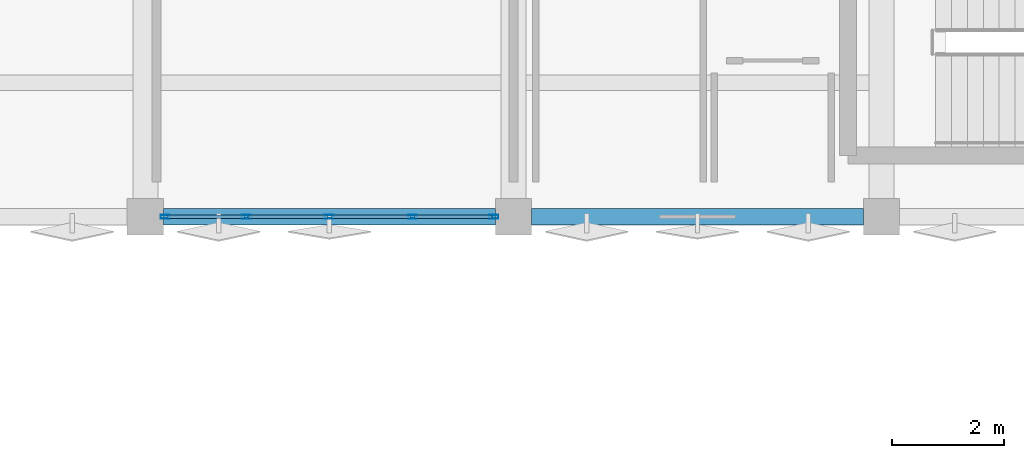
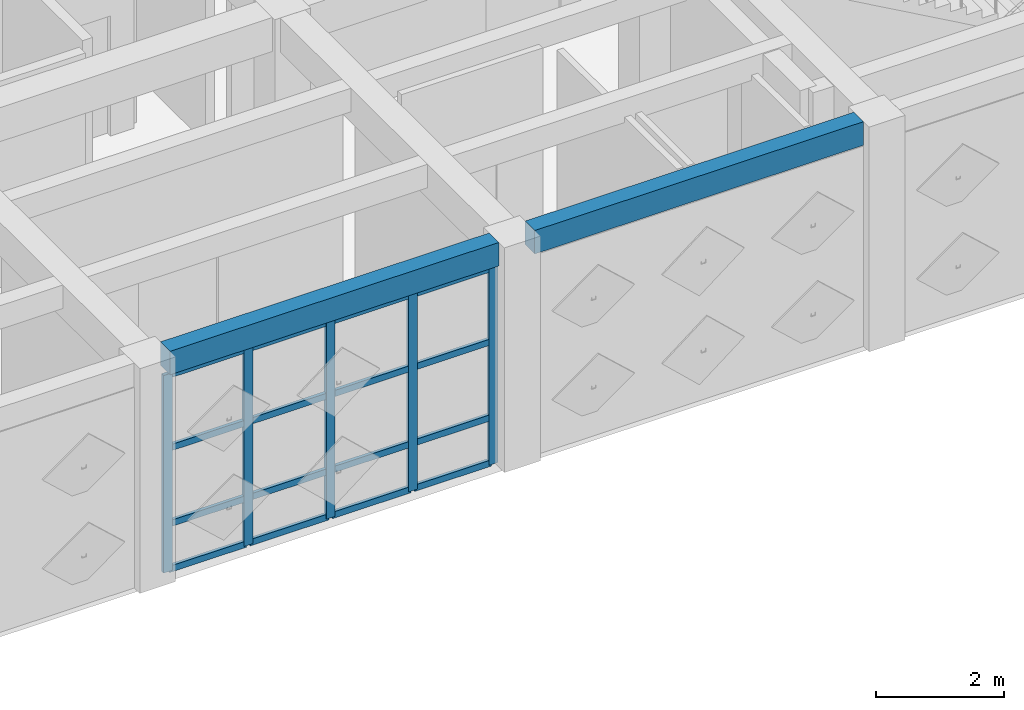
# One storey, part 35 of 67: 21 members, 2 beams, 1 element without a shape of its own.
"""IFC4 building model written with IfcOpenShell, lengths in metres."""

from ifc_helpers import new_model, si_unit, direction, frame, origin, origin_2d, place, context, subcontext, project, spatial, rectangle, hollow_rectangle, extrude, material, layer, layer_set, material_profile, profile_set, type_object, element, aggregate, save


model = new_model("IFC4")

# Units and contexts
model_context = context("Model", 3, precision=1e-05, world=origin(), true_north=direction((0.0, 1.0)))
body_context = subcontext(model_context, "Body", "Model", "MODEL_VIEW")
ifc_project = project(units=[si_unit("LENGTHUNIT", "METRE"), si_unit("AREAUNIT", "SQUARE_METRE"), si_unit("VOLUMEUNIT", "CUBIC_METRE"), si_unit("PLANEANGLEUNIT", "RADIAN"), si_unit("MASSUNIT", "GRAM", prefix="KILO")], contexts=[model_context])

# Site, building, storey
site_placement = place(None, origin())
site = spatial("IfcSite", under=ifc_project, at=site_placement, CompositionType="ELEMENT")
building_placement = place(site_placement, origin())
building = spatial("IfcBuilding", under=site, at=building_placement, Name="Kharisveld Research Institute", CompositionType="ELEMENT")
storey_placement = place(building_placement, frame((0.0, 0.0, 9.60009765625)))
storey = spatial("IfcBuildingStorey", under=building, at=storey_placement, Name="L02", CompositionType="ELEMENT", Elevation=9.60009765625)

# Curtain wall, members
ifc_material_1 = material(Name="Thermally Broken Aluminium Curtain Wall", Category="aluminium")
ifc_layer = layer(ifc_material_1, 0.159912109375)
ifc_layer_set = layer_set([ifc_layer], Name="CW_SYS_04")
curtain_wall_type = type_object("IfcCurtainWallType", Name="CW_SYS_04", PredefinedType="NOTDEFINED", material=ifc_layer_set)
curtain_wall_placement = place(storey_placement, origin())
curtain_wall = element("IfcCurtainWall", 1, at=curtain_wall_placement, inside=storey, type_object=curtain_wall_type, Name="CW:V2:L02:S4", PredefinedType="NOTDEFINED")
ifc_material_2 = material(Name="Anodised Aluminium AW-6063-T6", Category="aluminium")
ifc_material_profile_1 = material_profile(ifc_material_2, hollow_rectangle(XDim=0.06494140625, YDim=0.159912109375, WallThickness=0.00390625, at=origin_2d()))
ifc_profile_set_1 = profile_set([ifc_material_profile_1], Name="Anodised Aluminium AW-6063-T6")
member_type_1 = type_object("IfcMemberType", Name="CW_MUL_160", PredefinedType="MULLION", material=ifc_profile_set_1)
member_1_placement = place(storey_placement, frame((140.6474609375, 39.199951171875, 0.0), z_axis=(0.0, 0.0, 1.0), x_axis=(0.0, -1.0, 0.0)))
member_1 = element("IfcMember", 2, at=member_1_placement, type_object=member_type_1, Name="CW-04 mullion 1", PredefinedType="MULLION", context=body_context, shape_type="SweptSolid", body=[
    extrude(hollow_rectangle(XDim=0.06494140625, YDim=0.159912109375, WallThickness=0.00390625, at=origin_2d()), origin(), (0.0, 0.0, 1.0), 3.77978515625),
])
member_2_placement = place(storey_placement, frame((139.18994140625, 39.199951171875, 0.0), z_axis=(0.0, 0.0, 1.0), x_axis=(0.0, -1.0, 0.0)))
member_2 = element("IfcMember", 3, at=member_2_placement, type_object=member_type_1, Name="CW-04 mullion 2", PredefinedType="MULLION", context=body_context, shape_type="SweptSolid", body=[
    extrude(hollow_rectangle(XDim=0.06494140625, YDim=0.159912109375, WallThickness=0.00390625, at=origin_2d()), origin(), (0.0, 0.0, 1.0), 3.77978515625),
])
member_3_placement = place(storey_placement, frame((137.699951171875, 39.199951171875, 0.0), z_axis=(0.0, 0.0, 1.0), x_axis=(0.0, -1.0, 0.0)))
member_3 = element("IfcMember", 4, at=member_3_placement, type_object=member_type_1, Name="CW-04 mullion 3", PredefinedType="MULLION", context=body_context, shape_type="SweptSolid", body=[
    extrude(hollow_rectangle(XDim=0.06494140625, YDim=0.159912109375, WallThickness=0.00390625, at=origin_2d()), origin(), (0.0, 0.0, 1.0), 3.77978515625),
])
member_4_placement = place(storey_placement, frame((136.2099609375, 39.199951171875, 0.0), z_axis=(0.0, 0.0, 1.0), x_axis=(0.0, -1.0, 0.0)))
member_4 = element("IfcMember", 5, at=member_4_placement, type_object=member_type_1, Name="CW-04 mullion 4", PredefinedType="MULLION", context=body_context, shape_type="SweptSolid", body=[
    extrude(hollow_rectangle(XDim=0.06494140625, YDim=0.159912109375, WallThickness=0.00390625, at=origin_2d()), origin(), (0.0, 0.0, 1.0), 3.77978515625),
])
member_5_placement = place(storey_placement, frame((134.75244140625, 39.199951171875, 0.0), z_axis=(0.0, 0.0, 1.0), x_axis=(0.0, -1.0, 0.0)))
member_5 = element("IfcMember", 6, at=member_5_placement, type_object=member_type_1, Name="CW-04 mullion 5", PredefinedType="MULLION", context=body_context, shape_type="SweptSolid", body=[
    extrude(hollow_rectangle(XDim=0.06494140625, YDim=0.159912109375, WallThickness=0.00390625, at=origin_2d()), origin(), (0.0, 0.0, 1.0), 3.77978515625),
])
ifc_material_3 = material(Name="Anodised Aluminium AW-6063-T6", Category="aluminium")
ifc_material_profile_2 = material_profile(ifc_material_3, hollow_rectangle(XDim=0.06005859375, YDim=0.1201171875, WallThickness=0.00390625, at=origin_2d()))
ifc_profile_set_2 = profile_set([ifc_material_profile_2], Name="Anodised Aluminium AW-6063-T6")
member_type_2 = type_object("IfcMemberType", Name="CW_TRN_120", PredefinedType="USERDEFINED", material=ifc_profile_set_2)
member_6_placement = place(storey_placement, frame((140.614990234375, 39.199951171875, 0.02978515625), z_axis=(-1.0, 0.0, 0.0), x_axis=(0.0, -1.0, 0.0)))
member_6 = element("IfcMember", 7, at=member_6_placement, type_object=member_type_2, Name="CW-04 transom 1.1", ObjectType="TRANSOM", PredefinedType="USERDEFINED", context=body_context, shape_type="SweptSolid", body=[
    extrude(hollow_rectangle(XDim=0.06005859375, YDim=0.1201171875, WallThickness=0.00390625, at=origin_2d()), origin(), (0.0, 0.0, 1.0), 1.392578125),
])
member_7_placement = place(storey_placement, frame((140.614990234375, 39.199951171875, 0.89990234375), z_axis=(-1.0, 0.0, 0.0), x_axis=(0.0, -1.0, 0.0)))
member_7 = element("IfcMember", 8, at=member_7_placement, type_object=member_type_2, Name="CW-04 transom 1.2", ObjectType="TRANSOM", PredefinedType="USERDEFINED", context=body_context, shape_type="SweptSolid", body=[
    extrude(hollow_rectangle(XDim=0.06005859375, YDim=0.1201171875, WallThickness=0.00390625, at=origin_2d()), origin(), (0.0, 0.0, 1.0), 1.392578125),
])
member_8_placement = place(storey_placement, frame((140.614990234375, 39.199951171875, 2.349853515625), z_axis=(-1.0, 0.0, 0.0), x_axis=(0.0, -1.0, 0.0)))
member_8 = element("IfcMember", 9, at=member_8_placement, type_object=member_type_2, Name="CW-04 transom 1.3", ObjectType="TRANSOM", PredefinedType="USERDEFINED", context=body_context, shape_type="SweptSolid", body=[
    extrude(hollow_rectangle(XDim=0.06005859375, YDim=0.1201171875, WallThickness=0.00390625, at=origin_2d()), origin(), (0.0, 0.0, 1.0), 1.392578125),
])
member_9_placement = place(storey_placement, frame((140.614990234375, 39.199951171875, 3.75), z_axis=(-1.0, 0.0, 0.0), x_axis=(0.0, -1.0, 0.0)))
member_9 = element("IfcMember", 10, at=member_9_placement, type_object=member_type_2, Name="CW-04 transom 1.4", ObjectType="TRANSOM", PredefinedType="USERDEFINED", context=body_context, shape_type="SweptSolid", body=[
    extrude(hollow_rectangle(XDim=0.06005859375, YDim=0.1201171875, WallThickness=0.00390625, at=origin_2d()), origin(), (0.0, 0.0, 1.0), 1.392578125),
])
member_10_placement = place(storey_placement, frame((139.157470703125, 39.199951171875, 0.02978515625), z_axis=(-1.0, 0.0, 0.0), x_axis=(0.0, -1.0, 0.0)))
member_10 = element("IfcMember", 11, at=member_10_placement, type_object=member_type_2, Name="CW-04 transom 2.1", ObjectType="TRANSOM", PredefinedType="USERDEFINED", context=body_context, shape_type="SweptSolid", body=[
    extrude(hollow_rectangle(XDim=0.06005859375, YDim=0.1201171875, WallThickness=0.00390625, at=origin_2d()), origin(), (0.0, 0.0, 1.0), 1.425048828125),
])
member_11_placement = place(storey_placement, frame((139.157470703125, 39.199951171875, 0.89990234375), z_axis=(-1.0, 0.0, 0.0), x_axis=(0.0, -1.0, 0.0)))
member_11 = element("IfcMember", 12, at=member_11_placement, type_object=member_type_2, Name="CW-04 transom 2.2", ObjectType="TRANSOM", PredefinedType="USERDEFINED", context=body_context, shape_type="SweptSolid", body=[
    extrude(hollow_rectangle(XDim=0.06005859375, YDim=0.1201171875, WallThickness=0.00390625, at=origin_2d()), origin(), (0.0, 0.0, 1.0), 1.425048828125),
])
member_12_placement = place(storey_placement, frame((139.157470703125, 39.199951171875, 2.349853515625), z_axis=(-1.0, 0.0, 0.0), x_axis=(0.0, -1.0, 0.0)))
member_12 = element("IfcMember", 13, at=member_12_placement, type_object=member_type_2, Name="CW-04 transom 2.3", ObjectType="TRANSOM", PredefinedType="USERDEFINED", context=body_context, shape_type="SweptSolid", body=[
    extrude(hollow_rectangle(XDim=0.06005859375, YDim=0.1201171875, WallThickness=0.00390625, at=origin_2d()), origin(), (0.0, 0.0, 1.0), 1.425048828125),
])
member_13_placement = place(storey_placement, frame((139.157470703125, 39.199951171875, 3.75), z_axis=(-1.0, 0.0, 0.0), x_axis=(0.0, -1.0, 0.0)))
member_13 = element("IfcMember", 14, at=member_13_placement, type_object=member_type_2, Name="CW-04 transom 2.4", ObjectType="TRANSOM", PredefinedType="USERDEFINED", context=body_context, shape_type="SweptSolid", body=[
    extrude(hollow_rectangle(XDim=0.06005859375, YDim=0.1201171875, WallThickness=0.00390625, at=origin_2d()), origin(), (0.0, 0.0, 1.0), 1.425048828125),
])
member_14_placement = place(storey_placement, frame((137.66748046875, 39.199951171875, 0.02978515625), z_axis=(-1.0, 0.0, 0.0), x_axis=(0.0, -1.0, 0.0)))
member_14 = element("IfcMember", 15, at=member_14_placement, type_object=member_type_2, Name="CW-04 transom 3.1", ObjectType="TRANSOM", PredefinedType="USERDEFINED", context=body_context, shape_type="SweptSolid", body=[
    extrude(hollow_rectangle(XDim=0.06005859375, YDim=0.1201171875, WallThickness=0.00390625, at=origin_2d()), origin(), (0.0, 0.0, 1.0), 1.425048828125),
])
member_15_placement = place(storey_placement, frame((137.66748046875, 39.199951171875, 0.89990234375), z_axis=(-1.0, 0.0, 0.0), x_axis=(0.0, -1.0, 0.0)))
member_15 = element("IfcMember", 16, at=member_15_placement, type_object=member_type_2, Name="CW-04 transom 3.2", ObjectType="TRANSOM", PredefinedType="USERDEFINED", context=body_context, shape_type="SweptSolid", body=[
    extrude(hollow_rectangle(XDim=0.06005859375, YDim=0.1201171875, WallThickness=0.00390625, at=origin_2d()), origin(), (0.0, 0.0, 1.0), 1.425048828125),
])
member_16_placement = place(storey_placement, frame((137.66748046875, 39.199951171875, 2.349853515625), z_axis=(-1.0, 0.0, 0.0), x_axis=(0.0, -1.0, 0.0)))
member_16 = element("IfcMember", 17, at=member_16_placement, type_object=member_type_2, Name="CW-04 transom 3.3", ObjectType="TRANSOM", PredefinedType="USERDEFINED", context=body_context, shape_type="SweptSolid", body=[
    extrude(hollow_rectangle(XDim=0.06005859375, YDim=0.1201171875, WallThickness=0.00390625, at=origin_2d()), origin(), (0.0, 0.0, 1.0), 1.425048828125),
])
member_17_placement = place(storey_placement, frame((137.66748046875, 39.199951171875, 3.75), z_axis=(-1.0, 0.0, 0.0), x_axis=(0.0, -1.0, 0.0)))
member_17 = element("IfcMember", 18, at=member_17_placement, type_object=member_type_2, Name="CW-04 transom 3.4", ObjectType="TRANSOM", PredefinedType="USERDEFINED", context=body_context, shape_type="SweptSolid", body=[
    extrude(hollow_rectangle(XDim=0.06005859375, YDim=0.1201171875, WallThickness=0.00390625, at=origin_2d()), origin(), (0.0, 0.0, 1.0), 1.425048828125),
])
member_18_placement = place(storey_placement, frame((136.177490234375, 39.199951171875, 0.02978515625), z_axis=(-1.0, 0.0, 0.0), x_axis=(0.0, -1.0, 0.0)))
member_18 = element("IfcMember", 19, at=member_18_placement, type_object=member_type_2, Name="CW-04 transom 4.1", ObjectType="TRANSOM", PredefinedType="USERDEFINED", context=body_context, shape_type="SweptSolid", body=[
    extrude(hollow_rectangle(XDim=0.06005859375, YDim=0.1201171875, WallThickness=0.00390625, at=origin_2d()), origin(), (0.0, 0.0, 1.0), 1.392578125),
])
member_19_placement = place(storey_placement, frame((136.177490234375, 39.199951171875, 0.89990234375), z_axis=(-1.0, 0.0, 0.0), x_axis=(0.0, -1.0, 0.0)))
member_19 = element("IfcMember", 20, at=member_19_placement, type_object=member_type_2, Name="CW-04 transom 4.2", ObjectType="TRANSOM", PredefinedType="USERDEFINED", context=body_context, shape_type="SweptSolid", body=[
    extrude(hollow_rectangle(XDim=0.06005859375, YDim=0.1201171875, WallThickness=0.00390625, at=origin_2d()), origin(), (0.0, 0.0, 1.0), 1.392578125),
])
member_20_placement = place(storey_placement, frame((136.177490234375, 39.199951171875, 2.349853515625), z_axis=(-1.0, 0.0, 0.0), x_axis=(0.0, -1.0, 0.0)))
member_20 = element("IfcMember", 21, at=member_20_placement, type_object=member_type_2, Name="CW-04 transom 4.3", ObjectType="TRANSOM", PredefinedType="USERDEFINED", context=body_context, shape_type="SweptSolid", body=[
    extrude(hollow_rectangle(XDim=0.06005859375, YDim=0.1201171875, WallThickness=0.00390625, at=origin_2d()), origin(), (0.0, 0.0, 1.0), 1.392578125),
])
member_21_placement = place(storey_placement, frame((136.177490234375, 39.199951171875, 3.75), z_axis=(-1.0, 0.0, 0.0), x_axis=(0.0, -1.0, 0.0)))
member_21 = element("IfcMember", 22, at=member_21_placement, type_object=member_type_2, Name="CW-04 transom 4.4", ObjectType="TRANSOM", PredefinedType="USERDEFINED", context=body_context, shape_type="SweptSolid", body=[
    extrude(hollow_rectangle(XDim=0.06005859375, YDim=0.1201171875, WallThickness=0.00390625, at=origin_2d()), origin(), (0.0, 0.0, 1.0), 1.392578125),
])
aggregate(curtain_wall, [member_1, member_2, member_3, member_4, member_5, member_6, member_7, member_8, member_9, member_10, member_11, member_12, member_13, member_14, member_15, member_16, member_17, member_18, member_19, member_20, member_21])

# Beams
ifc_material_4 = material(Name="Concrete C40/50", Category="concrete")
ifc_material_profile_3 = material_profile(ifc_material_4, rectangle(XDim=0.300048828125, YDim=0.449951171875, at=origin_2d()))
ifc_profile_set_3 = profile_set([ifc_material_profile_3], Name="Concrete C40/50")
beam_type = type_object("IfcBeamType", Name="SP_RC_300x450", PredefinedType="SPANDREL", material=ifc_profile_set_3)
for number, where, z_axis, x_axis, name in (
    (23, (134.72509765625, 39.199951171875, 4.074951171875), (1.0, 0.0, 0.0), (0.0, 1.0, 0.0), "BM:V2:L02:U3_0"),
    (24, (141.324951171875, 39.199951171875, 4.074951171875), (1.0, 0.0, 0.0), (0.0, 1.0, 0.0), "BM:V2:L02:U4_0"),
):
    element("IfcBeam", number, at=place(storey_placement, frame(where, z_axis=z_axis, x_axis=x_axis)), inside=storey, type_object=beam_type, Name=name, PredefinedType="SPANDREL", context=body_context, shape_type="SweptSolid", body=[
        extrude(rectangle(XDim=0.300048828125, YDim=0.449951171875, at=origin_2d()), origin(), (0.0, 0.0, 1.0), 5.949951171875),
    ])

save(model, "model.ifc")
